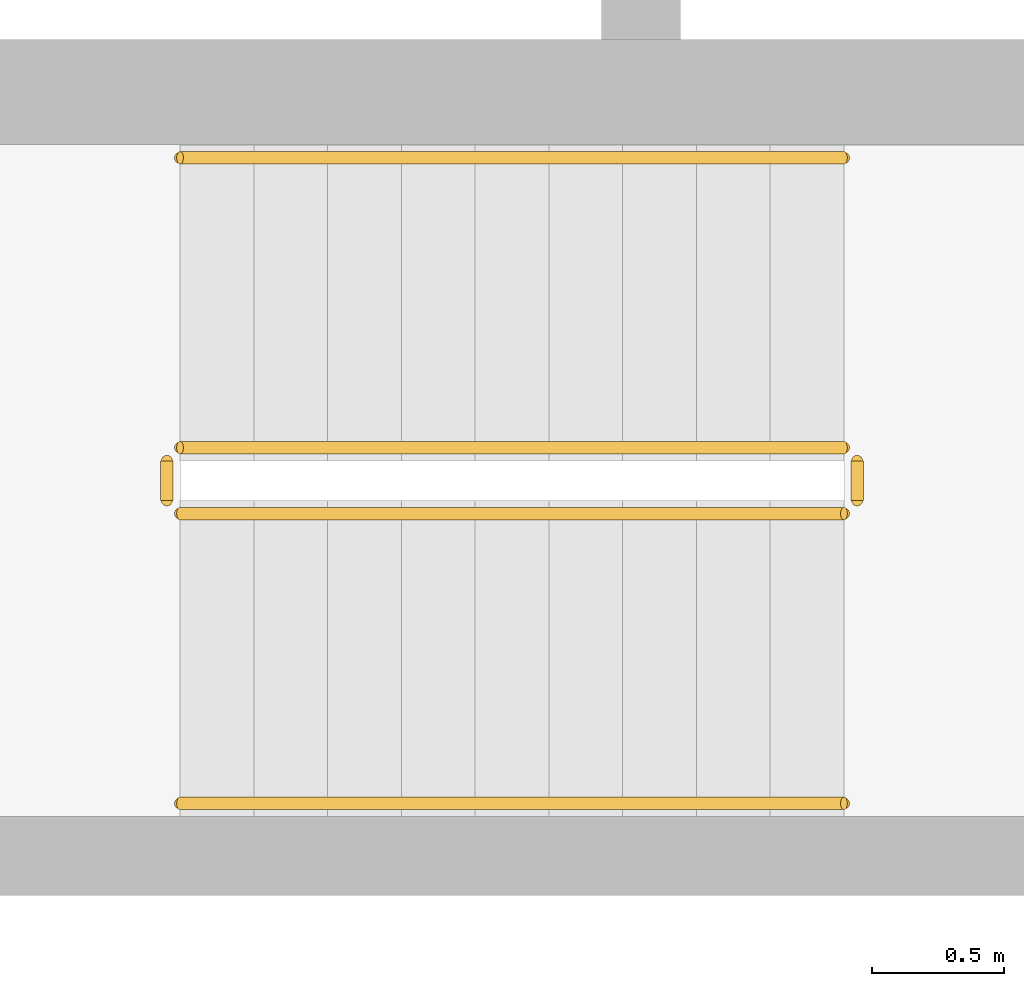
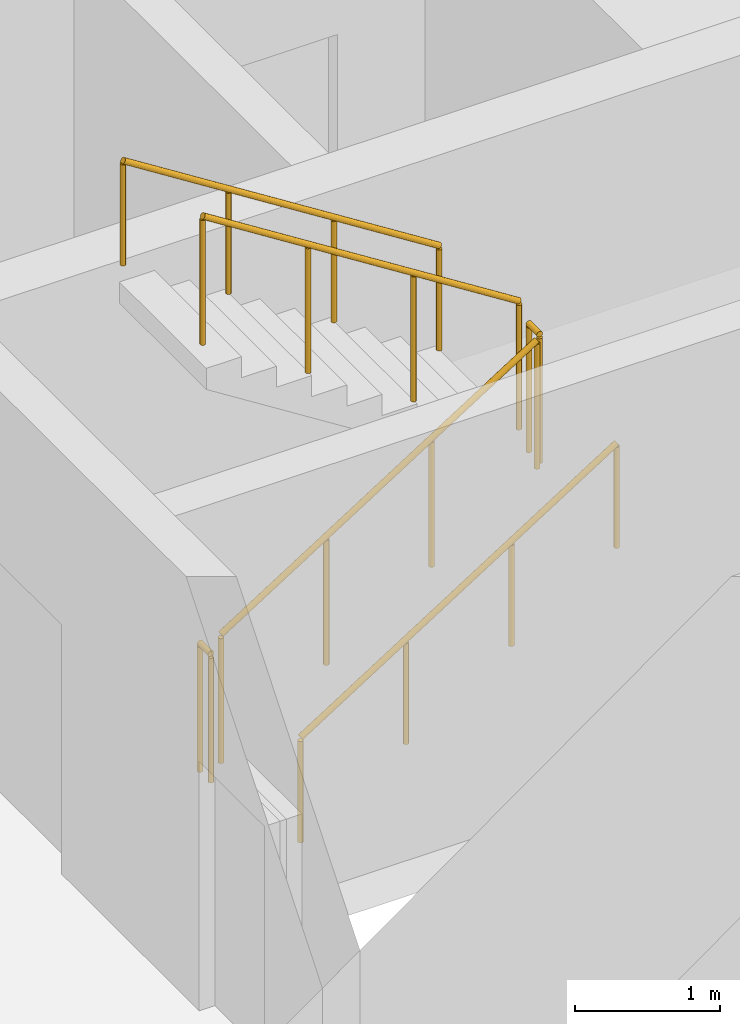
# One storey, part 16 of 19: 6 railings.
"""IFC4 building model written with IfcOpenShell, lengths in metres."""

import ifcopenshell
import ifcopenshell.guid

model = None  # the IFC model being written
_history = None  # IfcOwnerHistory: only IFC2X3 demands one
_inside = {}  # id of a spatial element -> (the spatial element, [elements in it])
_under = {}  # id of a project, library or spatial element -> (it, [spatial elements below it])
_declared = {}  # id of a project -> (the project, [libraries it declares])
_typed = {}  # id of a type object -> (the type object, [elements of that type])
_made_of = {}  # id of a material, layer set ... -> (it, [elements and type objects made of it])


def new_model(schema):
    """Start an empty IFC model of exactly this schema.

    Asked for "IFC4X3", IfcOpenShell would pick the latest addendum, in which some entities
    have other attributes; the version numbers below select the first issue.
    IFC2X3 requires an IfcOwnerHistory on every rooted entity: one is made here for all.
    """
    global model, _history
    if schema == "IFC4X3":
        model = ifcopenshell.file(schema_version=(4, 3, 0, 0))
    else:
        model = ifcopenshell.file(schema=schema)
    _inside.clear()
    _under.clear()
    _declared.clear()
    _typed.clear()
    _made_of.clear()
    _history = None
    if model.schema == "IFC2X3":
        org = make("IfcOrganization", Name="unknown")
        user = make(
            "IfcPersonAndOrganization",
            ThePerson=make("IfcPerson", FamilyName="unknown"),
            TheOrganization=org,
        )
        app = make(
            "IfcApplication",
            ApplicationDeveloper=org,
            Version="unknown",
            ApplicationFullName="unknown",
            ApplicationIdentifier="unknown",
        )
        _history = make(
            "IfcOwnerHistory",
            OwningUser=user,
            OwningApplication=app,
            ChangeAction="ADDED",
            CreationDate=0,
        )
    return model


def make(cls, **values):
    """One entity of the class cls with the attributes given. An attribute that is None is left unset."""
    return model.create_entity(
        cls, **{name: value for name, value in values.items() if value is not None}
    )


def rooted(cls, **values):
    """An entity with a GlobalId (a new one), such as an element, a storey or a relation."""
    return make(cls, GlobalId=ifcopenshell.guid.new(), OwnerHistory=_history, **values)


def si_unit(unit_type, name, prefix=None):
    """IfcSIUnit, for example si_unit("LENGTHUNIT", "METRE", prefix="MILLI")."""
    return make("IfcSIUnit", UnitType=unit_type, Prefix=prefix, Name=name)


def assignment(units):
    """IfcUnitAssignment: the units of a project."""
    return None if units is None else make("IfcUnitAssignment", Units=units)


def point(xyz):
    """IfcCartesianPoint."""
    return None if xyz is None else make("IfcCartesianPoint", Coordinates=xyz)


def direction(xyz):
    """IfcDirection."""
    return None if xyz is None else make("IfcDirection", DirectionRatios=xyz)


def frame(location, z_axis=None, x_axis=None):
    """IfcAxis2Placement3D, a coordinate frame: its origin and axes. An axis left out is left unset."""
    return make(
        "IfcAxis2Placement3D",
        Location=point(location),
        Axis=direction(z_axis),
        RefDirection=direction(x_axis),
    )


def frame_2d(location, x_axis=None):
    """IfcAxis2Placement2D, a coordinate frame in the plane: its origin and x axis."""
    return make(
        "IfcAxis2Placement2D", Location=point(location), RefDirection=direction(x_axis)
    )


def origin():
    """The frame at (0, 0, 0) with its axes left unset."""
    return frame((0.0, 0.0, 0.0))


def origin_2d():
    """The frame at (0, 0) in the plane with its x axis left unset."""
    return frame_2d((0.0, 0.0))


def place(relative_to, where):
    """IfcLocalPlacement: puts the frame where relative to a parent placement (None: the world)."""
    return make(
        "IfcLocalPlacement", PlacementRelTo=relative_to, RelativePlacement=where
    )


def context(
    kind, dimensions, precision=None, world=None, true_north=None, identifier=None
):
    """IfcGeometricRepresentationContext, for example the 3D "Model" context."""
    return make(
        "IfcGeometricRepresentationContext",
        ContextIdentifier=identifier,
        ContextType=kind,
        CoordinateSpaceDimension=dimensions,
        Precision=precision,
        WorldCoordinateSystem=world,
        TrueNorth=true_north,
    )


def subcontext(parent, identifier, kind, view, scale=None):
    """IfcGeometricRepresentationSubContext, for example "Body" below "Model"."""
    return make(
        "IfcGeometricRepresentationSubContext",
        ContextIdentifier=identifier,
        ContextType=kind,
        ParentContext=parent,
        TargetScale=scale,
        TargetView=view,
    )


def project(units=None, contexts=None):
    """IfcProject with its units and contexts."""
    return rooted(
        "IfcProject",
        Name="project",
        RepresentationContexts=contexts,
        UnitsInContext=assignment(units),
    )


def spatial(cls, under=None, at=None, **own):
    """A site, building, storey or space (cls), placed at a placement, below another one or the project."""
    s = rooted(cls, ObjectPlacement=at, **own)
    if under is not None:
        _under.setdefault(under.id(), (under, []))[1].append(s)
    return s


def profile(cls, at=None, kind="AREA", **sizes):
    """A parametric profile (cls). Its sizes go by their IFC names, for example OverallWidth=200.0."""
    return make(cls, ProfileType=kind, Position=at, **sizes)


def circle(**sizes):
    """IfcCircleProfileDef."""
    return profile("IfcCircleProfileDef", **sizes)


def extrude(swept, where, along, depth):
    """IfcExtrudedAreaSolid: the profile swept, set in the frame where, extruded along a direction by depth."""
    return make(
        "IfcExtrudedAreaSolid",
        SweptArea=swept,
        Position=where,
        ExtrudedDirection=direction(along),
        Depth=depth,
    )


def shape(context_of_items, identifier, shape_type, items):
    """IfcShapeRepresentation: the items that make up one representation, for example the "Body"."""
    return make(
        "IfcShapeRepresentation",
        ContextOfItems=context_of_items,
        RepresentationIdentifier=identifier,
        RepresentationType=shape_type,
        Items=items,
    )


def material(Name=None, Category=None):
    """IfcMaterial."""
    return make("IfcMaterial", Name=Name, Category=Category)


def made_of(thing, what):
    """Note that an element or type object is made of a material, layer set ...; save() writes the relation."""
    if what is not None:
        _made_of.setdefault(what.id(), (what, []))[1].append(thing)
    return thing


def type_object(cls, material=None, **own):
    """A type object (cls), such as IfcWallType, which elements share."""
    return made_of(rooted(cls, **own), material)


def element(
    cls,
    number,
    at=None,
    inside=None,
    cuts=None,
    type_object=None,
    material=None,
    context=None,
    identifier="Body",
    shape_type=None,
    held_by="IfcProductDefinitionShape",
    body=None,
    shapes=None,
    **own,
):
    """One element of the class cls, such as IfcWall. Its Tag is "e" and its number.

    at: its placement. inside: the storey or other place that contains it. cuts: it is an
    opening in that element (IfcRelVoidsElement). A single representation is given by context,
    identifier, shape_type and body (its items); several are given by shapes. held_by: the class
    of the entity that holds the representations. save() writes the other relations.
    """
    e = rooted(cls, Tag="e%d" % number, ObjectPlacement=at, **own)
    if body is not None:
        shapes = [shape(context, identifier, shape_type, body)]
    if shapes is not None:
        e.Representation = make(held_by, Representations=shapes)
    if inside is not None:
        _inside.setdefault(inside.id(), (inside, []))[1].append(e)
    if cuts is not None:
        rooted(
            "IfcRelVoidsElement", RelatingBuildingElement=cuts, RelatedOpeningElement=e
        )
    if type_object is not None:
        _typed.setdefault(type_object.id(), (type_object, []))[1].append(e)
    return made_of(e, material)


def aggregate(whole, parts):
    """IfcRelAggregates: a whole, such as a stair, and the parts it consists of."""
    return rooted("IfcRelAggregates", RelatingObject=whole, RelatedObjects=parts)


def save(model, path):
    """Write the relations noted so far, then the file.

    IfcRelAggregates (storeys below a building ...), IfcRelContainedInSpatialStructure (elements
    in a storey), IfcRelDefinesByType, IfcRelAssociatesMaterial and IfcRelDeclares: one each for
    every whole, place, type object, material and project.
    """
    for whole, parts in _under.values():
        aggregate(whole, parts)
    for where, things in _inside.values():
        rooted(
            "IfcRelContainedInSpatialStructure",
            RelatedElements=things,
            RelatingStructure=where,
        )
    for kind, things in _typed.values():
        rooted("IfcRelDefinesByType", RelatedObjects=things, RelatingType=kind)
    for what, things in _made_of.values():
        rooted("IfcRelAssociatesMaterial", RelatedObjects=things, RelatingMaterial=what)
    for by, libraries in _declared.values():
        rooted("IfcRelDeclares", RelatingContext=by, RelatedDefinitions=libraries)
    model.write(path)


model = new_model("IFC4")

# Units and contexts
model_context = context("Model", 3, precision=1e-05, world=origin(), true_north=direction((0.0, 1.0)))
body_context = subcontext(model_context, "Body", "Model", "MODEL_VIEW")
ifc_project = project(units=[si_unit("LENGTHUNIT", "METRE"), si_unit("AREAUNIT", "SQUARE_METRE"), si_unit("VOLUMEUNIT", "CUBIC_METRE"), si_unit("PLANEANGLEUNIT", "RADIAN"), si_unit("MASSUNIT", "GRAM", prefix="KILO")], contexts=[model_context])

# Site, building, storey
site_placement = place(None, origin())
site = spatial("IfcSite", under=ifc_project, at=site_placement, CompositionType="ELEMENT")
building_placement = place(site_placement, origin())
building = spatial("IfcBuilding", under=site, at=building_placement, Name="Ostrand Prow Hotel Tower", CompositionType="ELEMENT")
storey_placement = place(building_placement, frame((0.0, 0.0, 71.550048828125)))
storey = spatial("IfcBuildingStorey", under=building, at=storey_placement, Name="L16", CompositionType="ELEMENT", Elevation=71.550048828125)

# Railings
ifc_material_1 = material(Name="Painted steel", Category="steel")
railing_type_1 = type_object("IfcRailingType", Name="Stair guard 1100", PredefinedType="GUARDRAIL", material=ifc_material_1)
railing_1_placement = place(storey_placement, frame((57.199951171875, -11.75, 0.177490234375)))
element("IfcRailing", 1, at=railing_1_placement, inside=storey, type_object=railing_type_1, Name="L16 ST2C stair guard 1", PredefinedType="GUARDRAIL", context=body_context, shape_type="SweptSolid", body=[
    extrude(circle(Radius=0.02392578125, at=origin_2d()), frame((0.0, 0.0, 1.076171875), z_axis=(0.84460694969, 0.0, 0.535386869969), x_axis=(0.0, 1.0, 0.0)), (0.0, 0.0, 1.0), 2.983642578125),
    extrude(circle(Radius=0.02099609375, at=origin_2d()), origin(), (0.0, 0.0, 1.0), 1.052001953125),
    extrude(circle(Radius=0.02099609375, at=origin_2d()), frame((0.840087890625, 0.0, 0.532470703125)), (0.0, 0.0, 1.0), 1.052001953125),
    extrude(circle(Radius=0.02099609375, at=origin_2d()), frame((1.679931640625, 0.0, 1.06494140625)), (0.0, 0.0, 1.0), 1.052001953125),
    extrude(circle(Radius=0.02099609375, at=origin_2d()), frame((2.52001953125, 0.0, 1.597412109375)), (0.0, 0.0, 1.0), 1.052001953125),
])
railing_2_placement = place(storey_placement, frame((59.77001953125, -11.699951171875, 1.77490234375)))
element("IfcRailing", 2, at=railing_2_placement, inside=storey, type_object=railing_type_1, Name="L16 ST2C stair guard 2", PredefinedType="GUARDRAIL", context=body_context, shape_type="SweptSolid", body=[
    extrude(circle(Radius=0.02392578125, at=origin_2d()), frame((0.0, 0.0, 1.076171875), z_axis=(0.0, 1.0, 0.0), x_axis=(-1.0, 0.0, 0.0)), (0.0, 0.0, 1.0), 0.14990234375),
    extrude(circle(Radius=0.02099609375, at=origin_2d()), origin(), (0.0, 0.0, 1.0), 1.052001953125),
    extrude(circle(Radius=0.02099609375, at=origin_2d()), frame((0.0, 0.14990234375, 0.0)), (0.0, 0.0, 1.0), 1.052001953125),
])
railing_3_placement = place(storey_placement, frame((59.719970703125, -11.5, 1.952392578125)))
element("IfcRailing", 3, at=railing_3_placement, inside=storey, type_object=railing_type_1, Name="L16 ST2C stair guard 3", PredefinedType="GUARDRAIL", context=body_context, shape_type="SweptSolid", body=[
    extrude(circle(Radius=0.02392578125, at=origin_2d()), frame((0.0, 0.0, 1.076171875), z_axis=(-0.84456994832, 0.0, 0.535445237532), x_axis=(0.0, -1.0, 0.0)), (0.0, 0.0, 1.0), 2.98388671875),
    extrude(circle(Radius=0.02099609375, at=origin_2d()), origin(), (0.0, 0.0, 1.0), 1.052001953125),
    extrude(circle(Radius=0.02099609375, at=origin_2d()), frame((-0.840087890625, 0.0, 0.532470703125)), (0.0, 0.0, 1.0), 1.052001953125),
    extrude(circle(Radius=0.02099609375, at=origin_2d()), frame((-1.679931640625, 0.0, 1.065185546875)), (0.0, 0.0, 1.0), 1.052001953125),
    extrude(circle(Radius=0.02099609375, at=origin_2d()), frame((-2.52001953125, 0.0, 1.59765625)), (0.0, 0.0, 1.0), 1.052001953125),
])
railing_4_placement = place(storey_placement, frame((57.14990234375, -11.699951171875, 0.0)))
element("IfcRailing", 4, at=railing_4_placement, inside=storey, type_object=railing_type_1, Name="L16 ST2C stair guard 4", PredefinedType="GUARDRAIL", context=body_context, shape_type="SweptSolid", body=[
    extrude(circle(Radius=0.02392578125, at=origin_2d()), frame((0.0, 0.0, 1.076171875), z_axis=(0.0, 1.0, 0.0), x_axis=(-1.0, 0.0, 0.0)), (0.0, 0.0, 1.0), 0.14990234375),
    extrude(circle(Radius=0.02099609375, at=origin_2d()), origin(), (0.0, 0.0, 1.0), 1.052001953125),
    extrude(circle(Radius=0.02099609375, at=origin_2d()), frame((0.0, 0.14990234375, 0.0)), (0.0, 0.0, 1.0), 1.052001953125),
])
ifc_material_2 = material(Name="Stainless steel", Category="steel")
railing_type_2 = type_object("IfcRailingType", Name="Stair handrail 900", PredefinedType="HANDRAIL", material=ifc_material_2)
railing_5_placement = place(storey_placement, frame((57.199951171875, -12.85009765625, 0.177490234375)))
element("IfcRailing", 5, at=railing_5_placement, inside=storey, type_object=railing_type_2, Name="L16 ST2C stair handrail 1", PredefinedType="HANDRAIL", context=body_context, shape_type="SweptSolid", body=[
    extrude(circle(Radius=0.02392578125, at=origin_2d()), frame((0.0, 0.0, 0.8759765625), z_axis=(0.84460694969, 0.0, 0.535386869969), x_axis=(0.0, 1.0, 0.0)), (0.0, 0.0, 1.0), 2.983642578125),
    extrude(circle(Radius=0.02099609375, at=origin_2d()), origin(), (0.0, 0.0, 1.0), 0.851806640625),
    extrude(circle(Radius=0.02099609375, at=origin_2d()), frame((0.840087890625, 0.0, 0.532470703125)), (0.0, 0.0, 1.0), 0.851806640625),
    extrude(circle(Radius=0.02099609375, at=origin_2d()), frame((1.679931640625, 0.0, 1.06494140625)), (0.0, 0.0, 1.0), 0.851806640625),
    extrude(circle(Radius=0.02099609375, at=origin_2d()), frame((2.52001953125, 0.0, 1.597412109375)), (0.0, 0.0, 1.0), 0.851806640625),
])
railing_6_placement = place(storey_placement, frame((59.719970703125, -10.39990234375, 1.952392578125)))
element("IfcRailing", 6, at=railing_6_placement, inside=storey, type_object=railing_type_2, Name="L16 ST2C stair handrail 2", PredefinedType="HANDRAIL", context=body_context, shape_type="SweptSolid", body=[
    extrude(circle(Radius=0.02392578125, at=origin_2d()), frame((0.0, 0.0, 0.8759765625), z_axis=(-0.84456994832, 0.0, 0.535445237532), x_axis=(0.0, -1.0, 0.0)), (0.0, 0.0, 1.0), 2.98388671875),
    extrude(circle(Radius=0.02099609375, at=origin_2d()), origin(), (0.0, 0.0, 1.0), 0.851806640625),
    extrude(circle(Radius=0.02099609375, at=origin_2d()), frame((-0.840087890625, 0.0, 0.532470703125)), (0.0, 0.0, 1.0), 0.851806640625),
    extrude(circle(Radius=0.02099609375, at=origin_2d()), frame((-1.679931640625, 0.0, 1.065185546875)), (0.0, 0.0, 1.0), 0.851806640625),
    extrude(circle(Radius=0.02099609375, at=origin_2d()), frame((-2.52001953125, 0.0, 1.59765625)), (0.0, 0.0, 1.0), 0.851806640625),
])

save(model, "model.ifc")
